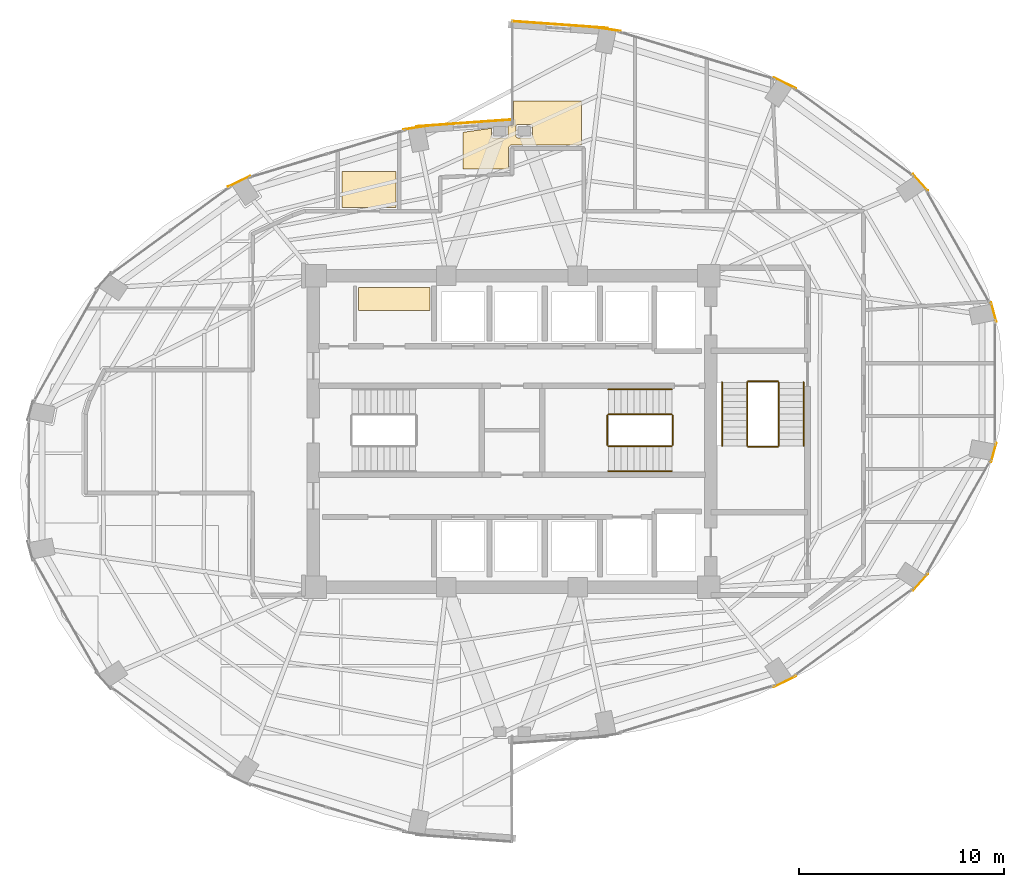
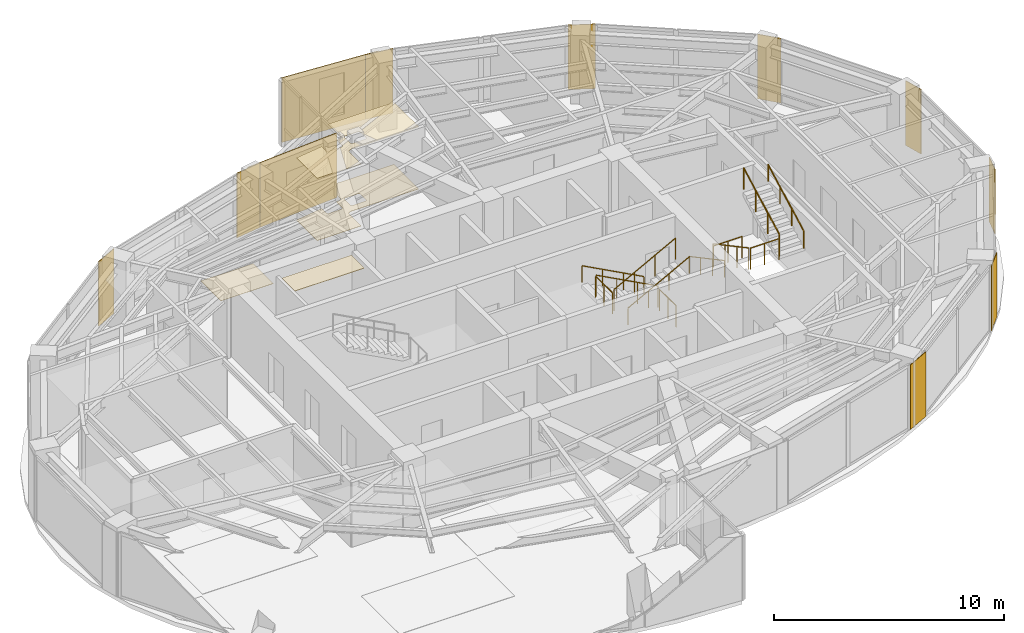
# One storey, part 20 of 20: 15 coverings, 12 railings.
"""IFC4 building model written with IfcOpenShell, lengths in metres."""

from ifc_helpers import new_model, si_unit, direction, frame, origin, origin_2d, place, context, subcontext, project, spatial, polyline, rectangle, circle, outline, extrude, material, layer, layer_set, type_object, element, save


model = new_model("IFC4")

# Units and contexts
model_context = context("Model", 3, precision=1e-05, world=origin(), true_north=direction((0.0, 1.0)))
body_context = subcontext(model_context, "Body", "Model", "MODEL_VIEW")
ifc_project = project(units=[si_unit("LENGTHUNIT", "METRE"), si_unit("AREAUNIT", "SQUARE_METRE"), si_unit("VOLUMEUNIT", "CUBIC_METRE"), si_unit("PLANEANGLEUNIT", "RADIAN"), si_unit("MASSUNIT", "GRAM", prefix="KILO")], contexts=[model_context])

# Site, building, storey
site_placement = place(None, origin())
site = spatial("IfcSite", under=ifc_project, at=site_placement, CompositionType="ELEMENT")
building_placement = place(site_placement, origin())
building = spatial("IfcBuilding", under=site, at=building_placement, Name="Lazwardi Medical Tower", CompositionType="ELEMENT")
storey_placement = place(building_placement, frame((0.0, 0.0, 156.528076171875)))
storey = spatial("IfcBuildingStorey", under=building, at=storey_placement, Name="L40", CompositionType="ELEMENT", Elevation=156.528076171875)

# Coverings
ifc_material_1 = material(Name="Anodised bronze aluminium cassette cladding", Category="aluminium")
ifc_layer_1 = layer(ifc_material_1, 0.030029296875)
ifc_layer_set_1 = layer_set([ifc_layer_1], Name="Anodised bronze aluminium cassette cladding")
covering_type_1 = type_object("IfcCoveringType", Name="COV-CLD-BRZ", PredefinedType="CLADDING", material=ifc_layer_set_1)
covering_1_placement = place(storey_placement, frame((49.31103515625, 15.798095703125, 0.0), z_axis=(0.0, 0.0, 1.0), x_axis=(0.898079014814, 0.439834154144, 0.0)))
element("IfcCovering", 1, at=covering_1_placement, inside=storey, type_object=covering_type_1, Name="L40 Mega-column bronze cassette cover M02", PredefinedType="CLADDING", context=body_context, shape_type="SweptSolid", body=[
    extrude(rectangle(XDim=1.200439453125, YDim=0.030029296875, at=origin_2d()), origin(), (0.0, 0.0, 1.0), 3.427978515625),
])
covering_2_placement = place(storey_placement, frame((55.92138671875, 20.643310546875, 0.0), z_axis=(0.0, 0.0, 1.0), x_axis=(0.673714459537, 0.738991763832, 0.0)))
element("IfcCovering", 2, at=covering_2_placement, inside=storey, type_object=covering_type_1, Name="L40 Mega-column bronze cassette cover M03", PredefinedType="CLADDING", context=body_context, shape_type="SweptSolid", body=[
    extrude(rectangle(XDim=1.0693359375, YDim=0.030029296875, at=origin_2d()), origin(), (0.0, 0.0, 1.0), 3.427978515625),
])
for number, where, z_axis, x_axis, name in (
    (3, (59.498779296875, 26.973876953125, 0.0), (0.0, 0.0, 1.0), (0.261828726257, 0.965114354938, 0.0), "L40 Mega-column bronze cassette cover M04"),
    (4, (59.498779296875, 33.826171875, 0.0), (0.0, 0.0, 1.0), (-0.261828726257, 0.965114354938, 0.0), "L40 Mega-column bronze cassette cover M05"),
):
    element("IfcCovering", number, at=place(storey_placement, frame(where, z_axis=z_axis, x_axis=x_axis)), inside=storey, type_object=covering_type_1, Name=name, PredefinedType="CLADDING", context=body_context, shape_type="SweptSolid", body=[
        extrude(rectangle(XDim=0.9658203125, YDim=0.030029296875, at=origin_2d()), origin(), (0.0, 0.0, 1.0), 3.427978515625),
    ])
covering_3_placement = place(storey_placement, frame((55.92138671875, 40.15673828125, 0.0), z_axis=(0.0, 0.0, 1.0), x_axis=(-0.673714459537, 0.738991763832, 0.0)))
element("IfcCovering", 5, at=covering_3_placement, inside=storey, type_object=covering_type_1, Name="L40 Mega-column bronze cassette cover M06", PredefinedType="CLADDING", context=body_context, shape_type="SweptSolid", body=[
    extrude(rectangle(XDim=1.0693359375, YDim=0.030029296875, at=origin_2d()), origin(), (0.0, 0.0, 1.0), 3.427978515625),
])
covering_4_placement = place(storey_placement, frame((49.31103515625, 45.001953125, 0.0), z_axis=(0.0, 0.0, 1.0), x_axis=(-0.898079014814, 0.439834154144, 0.0)))
element("IfcCovering", 6, at=covering_4_placement, inside=storey, type_object=covering_type_1, Name="L40 Mega-column bronze cassette cover M07", PredefinedType="CLADDING", context=body_context, shape_type="SweptSolid", body=[
    extrude(rectangle(XDim=1.200439453125, YDim=0.030029296875, at=origin_2d()), origin(), (0.0, 0.0, 1.0), 3.427978515625),
])
for number, where, z_axis, x_axis, name in (
    (7, (40.67431640625, 47.6240234375, 0.0), (0.0, 0.0, 1.0), (-0.989539138138, 0.144264666823, 0.0), "L40 Mega-column bronze cassette cover M08"),
    (8, (31.32568359375, 42.82421875, 0.0), (0.0, 0.0, 1.0), (-0.989539138138, -0.144264666823, 0.0), "L40 Mega-column bronze cassette cover M09"),
):
    element("IfcCovering", number, at=place(storey_placement, frame(where, z_axis=z_axis, x_axis=x_axis)), inside=storey, type_object=covering_type_1, Name=name, PredefinedType="CLADDING", context=body_context, shape_type="SweptSolid", body=[
        extrude(rectangle(XDim=1.28515625, YDim=0.030029296875, at=origin_2d()), origin(), (0.0, 0.0, 1.0), 3.427978515625),
    ])
covering_5_placement = place(storey_placement, frame((22.68896484375, 40.201904296875, 0.0), z_axis=(0.0, 0.0, 1.0), x_axis=(-0.898079014814, -0.439834154144, 0.0)))
element("IfcCovering", 9, at=covering_5_placement, inside=storey, type_object=covering_type_1, Name="L40 Mega-column bronze cassette cover M10", PredefinedType="CLADDING", context=body_context, shape_type="SweptSolid", body=[
    extrude(rectangle(XDim=1.200439453125, YDim=0.030029296875, at=origin_2d()), origin(), (0.0, 0.0, 1.0), 3.427978515625),
])
ifc_material_2 = material(Name="Turquoise glazed ceramic tilework cladding", Category="masonry")
ifc_layer_2 = layer(ifc_material_2, 0.034912109375)
ifc_layer_set_2 = layer_set([ifc_layer_2], Name="Turquoise glazed ceramic tilework cladding")
covering_type_2 = type_object("IfcCoveringType", Name="COV-CLD-TRQ", PredefinedType="CLADDING", material=ifc_layer_set_2)
covering_6_placement = place(storey_placement, frame((38.338134765625, 47.847412109375, 0.0), z_axis=(0.0, 0.0, 1.0), x_axis=(-0.997414510753, 0.071863020663, 0.0)))
element("IfcCovering", 10, at=covering_6_placement, inside=storey, type_object=covering_type_2, Name="L40 Turquoise glazed ceramic tilework cladding", PredefinedType="CLADDING", context=body_context, shape_type="SweptSolid", body=[
    extrude(rectangle(XDim=4.6630859375, YDim=0.034912109375, at=origin_2d()), origin(), (0.0, 0.0, 1.0), 3.427978515625),
])
covering_7_placement = place(storey_placement, frame((33.66162109375, 43.047607421875, 0.0), z_axis=(0.0, 0.0, 1.0), x_axis=(-0.997414134466, -0.071868243112, 0.0)))
element("IfcCovering", 11, at=covering_7_placement, inside=storey, type_object=covering_type_2, Name="L40 Turquoise glazed ceramic tilework cladding", PredefinedType="CLADDING", context=body_context, shape_type="SweptSolid", body=[
    extrude(rectangle(XDim=4.66259765625, YDim=0.034912109375, at=origin_2d()), origin(), (0.0, 0.0, 1.0), 3.427978515625),
])
ifc_material_3 = material(Name="Acoustic mineral fibre tile")
ifc_layer_3 = layer(ifc_material_3, 0.02490234375)
ifc_layer_set_3 = layer_set([ifc_layer_3], Name="Acoustic mineral fibre tile")
covering_type_3 = type_object("IfcCoveringType", Name="COV-CLG-01", PredefinedType="CEILING", material=ifc_layer_set_3)
covering_8_placement = place(storey_placement, frame((0.0, 0.0, 3.282958984375)))
element("IfcCovering", 12, at=covering_8_placement, inside=storey, type_object=covering_type_3, Name="L40 Clinical Acoustic Ceiling 7", PredefinedType="CEILING", context=body_context, shape_type="SweptSolid", body=[
    extrude(outline(polyline([(31.989990234375, 33.892578125), (31.989990234375, 35.02001953125), (28.510009765625, 35.02001953125), (28.510009765625, 33.892578125), (31.989990234375, 33.892578125)])), origin(), (0.0, 0.0, 1.0), 0.02490234375),
])
covering_9_placement = place(storey_placement, frame((0.0, 0.0, 3.282958984375)))
element("IfcCovering", 13, at=covering_9_placement, inside=storey, type_object=covering_type_3, Name="L40 Clinical Acoustic Ceiling 9", PredefinedType="CEILING", context=body_context, shape_type="SweptSolid", body=[
    extrude(outline(polyline([(36.080078125, 44.12255859375), (36.080078125, 43.02001953125), (36.07958984375, 43.012451171875), (36.07861328125, 43.0048828125), (36.076904296875, 42.99755859375), (36.07421875, 42.990234375), (36.071044921875, 42.9833984375), (36.0673828125, 42.976806640625), (36.06298828125, 42.970703125), (36.057861328125, 42.96484375), (36.052490234375, 42.959716796875), (36.04638671875, 42.954833984375), (36.0400390625, 42.95068359375), (36.033203125, 42.947265625), (36.0263671875, 42.9443359375), (36.01904296875, 42.9423828125), (36.011474609375, 42.94091796875), (35.798583984375, 42.909912109375), (35.799560546875, 42.90283203125), (35.800048828125, 42.89501953125), (35.800048828125, 42.405029296875), (35.799560546875, 42.397216796875), (35.798583984375, 42.389404296875), (35.796630859375, 42.3818359375), (35.7939453125, 42.37451171875), (35.79052734375, 42.3671875), (35.78662109375, 42.360595703125), (35.78173828125, 42.354248046875), (35.776611328125, 42.348388671875), (35.770751953125, 42.34326171875), (35.764404296875, 42.33837890625), (35.7578125, 42.33447265625), (35.75048828125, 42.3310546875), (35.7431640625, 42.328369140625), (35.735595703125, 42.326416015625), (35.727783203125, 42.325439453125), (35.719970703125, 42.324951171875), (35.080078125, 42.324951171875), (35.072265625, 42.325439453125), (35.064453125, 42.326416015625), (35.056884765625, 42.328369140625), (35.04931640625, 42.3310546875), (35.042236328125, 42.33447265625), (35.03564453125, 42.33837890625), (35.029296875, 42.34326171875), (35.0234375, 42.348388671875), (35.018310546875, 42.354248046875), (35.013427734375, 42.360595703125), (35.009521484375, 42.3671875), (35.006103515625, 42.37451171875), (35.00341796875, 42.3818359375), (35.00146484375, 42.389404296875), (35.00048828125, 42.397216796875), (35.0, 42.405029296875), (35.0, 42.793701171875), (33.61279296875, 42.591796875), (33.61279296875, 40.79248046875), (35.824951171875, 40.79248046875), (35.824951171875, 41.800048828125), (35.8251953125, 41.80419921875), (35.82568359375, 41.813720703125), (35.826416015625, 41.820556640625), (35.82763671875, 41.82958984375), (35.8291015625, 41.838134765625), (35.83154296875, 41.84716796875), (35.83349609375, 41.854248046875), (35.836669921875, 41.863037109375), (35.840087890625, 41.870849609375), (35.843994140625, 41.879150390625), (35.84765625, 41.885986328125), (35.852294921875, 41.89404296875), (35.85693359375, 41.900634765625), (35.862548828125, 41.908203125), (35.8671875, 41.913818359375), (35.873291015625, 41.920654296875), (35.87939453125, 41.9267578125), (35.88623046875, 41.932861328125), (35.891845703125, 41.9375), (35.8994140625, 41.943115234375), (35.906005859375, 41.947509765625), (35.9140625, 41.952392578125), (35.9208984375, 41.9560546875), (35.92919921875, 41.9599609375), (35.93701171875, 41.96337890625), (35.94580078125, 41.96630859375), (35.952880859375, 41.968505859375), (35.9619140625, 41.970703125), (35.97021484375, 41.972412109375), (35.9794921875, 41.9736328125), (35.986328125, 41.974365234375), (35.99560546875, 41.974853515625), (36.0, 41.97509765625), (39.392822265625, 41.97509765625), (39.392822265625, 44.12255859375), (36.080078125, 44.12255859375)]), holes=[polyline([(36.943115234375, 42.328369140625), (36.935546875, 42.326416015625), (36.927734375, 42.325439453125), (36.919921875, 42.324951171875), (36.280029296875, 42.324951171875), (36.272216796875, 42.325439453125), (36.264404296875, 42.326416015625), (36.2568359375, 42.328369140625), (36.24951171875, 42.3310546875), (36.2421875, 42.33447265625), (36.235595703125, 42.33837890625), (36.229248046875, 42.34326171875), (36.223388671875, 42.348388671875), (36.21826171875, 42.354248046875), (36.21337890625, 42.360595703125), (36.20947265625, 42.3671875), (36.2060546875, 42.37451171875), (36.203369140625, 42.3818359375), (36.201416015625, 42.389404296875), (36.200439453125, 42.397216796875), (36.199951171875, 42.405029296875), (36.199951171875, 42.89501953125), (36.200439453125, 42.90283203125), (36.201416015625, 42.91064453125), (36.203369140625, 42.918212890625), (36.2060546875, 42.925537109375), (36.20947265625, 42.9326171875), (36.21337890625, 42.939453125), (36.21826171875, 42.94580078125), (36.223388671875, 42.95166015625), (36.229248046875, 42.956787109375), (36.235595703125, 42.96142578125), (36.2421875, 42.965576171875), (36.24951171875, 42.968994140625), (36.2568359375, 42.9716796875), (36.264404296875, 42.973388671875), (36.272216796875, 42.974609375), (36.280029296875, 42.97509765625), (36.919921875, 42.97509765625), (36.927734375, 42.974609375), (36.935546875, 42.973388671875), (36.943115234375, 42.9716796875), (36.95068359375, 42.968994140625), (36.957763671875, 42.965576171875), (36.96435546875, 42.96142578125), (36.970703125, 42.956787109375), (36.9765625, 42.95166015625), (36.981689453125, 42.94580078125), (36.986572265625, 42.939453125), (36.990478515625, 42.9326171875), (36.993896484375, 42.925537109375), (36.99658203125, 42.918212890625), (36.99853515625, 42.91064453125), (36.99951171875, 42.90283203125), (37.0, 42.89501953125), (37.0, 42.405029296875), (36.99951171875, 42.397216796875), (36.99853515625, 42.389404296875), (36.99658203125, 42.3818359375), (36.993896484375, 42.37451171875), (36.990478515625, 42.3671875), (36.986572265625, 42.360595703125), (36.981689453125, 42.354248046875), (36.9765625, 42.348388671875), (36.970703125, 42.34326171875), (36.96435546875, 42.33837890625), (36.957763671875, 42.33447265625), (36.95068359375, 42.3310546875), (36.943115234375, 42.328369140625)])]), origin(), (0.0, 0.0, 1.0), 0.02490234375),
])
ifc_material_4 = material(Name="Anti-static hospital vinyl sheet flooring")
ifc_layer_4 = layer(ifc_material_4, 0.014892578125)
ifc_layer_set_4 = layer_set([ifc_layer_4], Name="Anti-static hospital vinyl sheet flooring")
covering_type_4 = type_object("IfcCoveringType", Name="COV-FLR-01", PredefinedType="FLOORING", material=ifc_layer_set_4)
covering_10_placement = place(storey_placement, origin())
element("IfcCovering", 14, at=covering_10_placement, inside=storey, type_object=covering_type_4, Name="L40 Clinical Vinyl Flooring 8", PredefinedType="FLOORING", context=body_context, shape_type="SweptSolid", body=[
    extrude(outline(polyline([(27.712890625, 38.925048828125), (30.3349609375, 38.925048828125), (30.3349609375, 40.672607421875), (27.712890625, 40.672607421875), (27.712890625, 38.925048828125)])), origin(), (0.0, 0.0, 1.0), 0.014892578125),
])
covering_11_placement = place(storey_placement, origin())
element("IfcCovering", 15, at=covering_11_placement, inside=storey, type_object=covering_type_4, Name="L40 Clinical Vinyl Flooring 10", PredefinedType="FLOORING", context=body_context, shape_type="SweptSolid", body=[
    extrude(outline(polyline([(36.080078125, 44.12255859375), (36.080078125, 43.02001953125), (36.07958984375, 43.012451171875), (36.07861328125, 43.0048828125), (36.076904296875, 42.99755859375), (36.07421875, 42.990234375), (36.071044921875, 42.9833984375), (36.0673828125, 42.976806640625), (36.06298828125, 42.970703125), (36.057861328125, 42.96484375), (36.052490234375, 42.959716796875), (36.04638671875, 42.954833984375), (36.0400390625, 42.95068359375), (36.033203125, 42.947265625), (36.0263671875, 42.9443359375), (36.01904296875, 42.9423828125), (36.011474609375, 42.94091796875), (35.798583984375, 42.909912109375), (35.799560546875, 42.90283203125), (35.800048828125, 42.89501953125), (35.800048828125, 42.405029296875), (35.799560546875, 42.397216796875), (35.798583984375, 42.389404296875), (35.796630859375, 42.3818359375), (35.7939453125, 42.37451171875), (35.79052734375, 42.3671875), (35.78662109375, 42.360595703125), (35.78173828125, 42.354248046875), (35.776611328125, 42.348388671875), (35.770751953125, 42.34326171875), (35.764404296875, 42.33837890625), (35.7578125, 42.33447265625), (35.75048828125, 42.3310546875), (35.7431640625, 42.328369140625), (35.735595703125, 42.326416015625), (35.727783203125, 42.325439453125), (35.719970703125, 42.324951171875), (35.080078125, 42.324951171875), (35.072265625, 42.325439453125), (35.064453125, 42.326416015625), (35.056884765625, 42.328369140625), (35.04931640625, 42.3310546875), (35.042236328125, 42.33447265625), (35.03564453125, 42.33837890625), (35.029296875, 42.34326171875), (35.0234375, 42.348388671875), (35.018310546875, 42.354248046875), (35.013427734375, 42.360595703125), (35.009521484375, 42.3671875), (35.006103515625, 42.37451171875), (35.00341796875, 42.3818359375), (35.00146484375, 42.389404296875), (35.00048828125, 42.397216796875), (35.0, 42.405029296875), (35.0, 42.793701171875), (33.61279296875, 42.591796875), (33.61279296875, 40.79248046875), (35.824951171875, 40.79248046875), (35.824951171875, 41.800048828125), (35.8251953125, 41.80419921875), (35.82568359375, 41.813720703125), (35.826416015625, 41.820556640625), (35.82763671875, 41.82958984375), (35.8291015625, 41.838134765625), (35.83154296875, 41.84716796875), (35.83349609375, 41.854248046875), (35.836669921875, 41.863037109375), (35.840087890625, 41.870849609375), (35.843994140625, 41.879150390625), (35.84765625, 41.885986328125), (35.852294921875, 41.89404296875), (35.85693359375, 41.900634765625), (35.862548828125, 41.908203125), (35.8671875, 41.913818359375), (35.873291015625, 41.920654296875), (35.87939453125, 41.9267578125), (35.88623046875, 41.932861328125), (35.891845703125, 41.9375), (35.8994140625, 41.943115234375), (35.906005859375, 41.947509765625), (35.9140625, 41.952392578125), (35.9208984375, 41.9560546875), (35.92919921875, 41.9599609375), (35.93701171875, 41.96337890625), (35.94580078125, 41.96630859375), (35.952880859375, 41.968505859375), (35.9619140625, 41.970703125), (35.97021484375, 41.972412109375), (35.9794921875, 41.9736328125), (35.986328125, 41.974365234375), (35.99560546875, 41.974853515625), (36.0, 41.97509765625), (39.392822265625, 41.97509765625), (39.392822265625, 44.12255859375), (36.080078125, 44.12255859375)]), holes=[polyline([(36.943115234375, 42.328369140625), (36.935546875, 42.326416015625), (36.927734375, 42.325439453125), (36.919921875, 42.324951171875), (36.280029296875, 42.324951171875), (36.272216796875, 42.325439453125), (36.264404296875, 42.326416015625), (36.2568359375, 42.328369140625), (36.24951171875, 42.3310546875), (36.2421875, 42.33447265625), (36.235595703125, 42.33837890625), (36.229248046875, 42.34326171875), (36.223388671875, 42.348388671875), (36.21826171875, 42.354248046875), (36.21337890625, 42.360595703125), (36.20947265625, 42.3671875), (36.2060546875, 42.37451171875), (36.203369140625, 42.3818359375), (36.201416015625, 42.389404296875), (36.200439453125, 42.397216796875), (36.199951171875, 42.405029296875), (36.199951171875, 42.89501953125), (36.200439453125, 42.90283203125), (36.201416015625, 42.91064453125), (36.203369140625, 42.918212890625), (36.2060546875, 42.925537109375), (36.20947265625, 42.9326171875), (36.21337890625, 42.939453125), (36.21826171875, 42.94580078125), (36.223388671875, 42.95166015625), (36.229248046875, 42.956787109375), (36.235595703125, 42.96142578125), (36.2421875, 42.965576171875), (36.24951171875, 42.968994140625), (36.2568359375, 42.9716796875), (36.264404296875, 42.973388671875), (36.272216796875, 42.974609375), (36.280029296875, 42.97509765625), (36.919921875, 42.97509765625), (36.927734375, 42.974609375), (36.935546875, 42.973388671875), (36.943115234375, 42.9716796875), (36.95068359375, 42.968994140625), (36.957763671875, 42.965576171875), (36.96435546875, 42.96142578125), (36.970703125, 42.956787109375), (36.9765625, 42.95166015625), (36.981689453125, 42.94580078125), (36.986572265625, 42.939453125), (36.990478515625, 42.9326171875), (36.993896484375, 42.925537109375), (36.99658203125, 42.918212890625), (36.99853515625, 42.91064453125), (36.99951171875, 42.90283203125), (37.0, 42.89501953125), (37.0, 42.405029296875), (36.99951171875, 42.397216796875), (36.99853515625, 42.389404296875), (36.99658203125, 42.3818359375), (36.993896484375, 42.37451171875), (36.990478515625, 42.3671875), (36.986572265625, 42.360595703125), (36.981689453125, 42.354248046875), (36.9765625, 42.348388671875), (36.970703125, 42.34326171875), (36.96435546875, 42.33837890625), (36.957763671875, 42.33447265625), (36.95068359375, 42.3310546875), (36.943115234375, 42.328369140625)])]), origin(), (0.0, 0.0, 1.0), 0.014892578125),
])

# Railings
ifc_material_5 = material(Name="Stainless steel Grade 316", Category="steel")
railing_type_1 = type_object("IfcRailingType", Name="RLG-GRD-1150", PredefinedType="GUARDRAIL", material=ifc_material_5)
railing_1_placement = place(storey_placement, frame((43.800048828125, 28.830078125, 0.165771484375)))
element("IfcRailing", 16, at=railing_1_placement, inside=storey, type_object=railing_type_1, Name="L40 ST2 stair guard 1", PredefinedType="GUARDRAIL", context=body_context, shape_type="SweptSolid", body=[
    extrude(circle(Radius=0.02392578125, at=origin_2d()), frame((0.0, 0.0, 1.1259765625), z_axis=(-0.881783298633, 0.0, 0.471654761719), x_axis=(0.0, -1.0, 0.0)), (0.0, 0.0, 1.0), 3.515625),
    extrude(circle(Radius=0.02099609375, at=origin_2d()), origin(), (0.0, 0.0, 1.0), 1.099853515625),
    extrude(circle(Radius=0.02099609375, at=origin_2d()), frame((-1.033447265625, 0.0, 0.552734375)), (0.0, 0.0, 1.0), 1.099853515625),
    extrude(circle(Radius=0.02099609375, at=origin_2d()), frame((-2.066650390625, 0.0, 1.10546875)), (0.0, 0.0, 1.0), 1.099853515625),
    extrude(circle(Radius=0.02099609375, at=origin_2d()), frame((-3.10009765625, 0.0, 1.658203125)), (0.0, 0.0, 1.0), 1.099853515625),
])
railing_2_placement = place(storey_placement, frame((40.64990234375, 28.780029296875, 1.823974609375)))
element("IfcRailing", 17, at=railing_2_placement, inside=storey, type_object=railing_type_1, Name="L40 ST2 stair guard 2", PredefinedType="GUARDRAIL", context=body_context, shape_type="SweptSolid", body=[
    extrude(circle(Radius=0.02392578125, at=origin_2d()), frame((0.0, 0.0, 1.1259765625), z_axis=(0.0, -1.0, 0.0), x_axis=(1.0, 0.0, 0.0)), (0.0, 0.0, 1.0), 1.43994140625),
    extrude(circle(Radius=0.02099609375, at=origin_2d()), origin(), (0.0, 0.0, 1.0), 1.099853515625),
    extrude(circle(Radius=0.02099609375, at=origin_2d()), frame((0.0, -0.719970703125, 0.0)), (0.0, 0.0, 1.0), 1.099853515625),
    extrude(circle(Radius=0.02099609375, at=origin_2d()), frame((0.0, -1.43994140625, 0.0)), (0.0, 0.0, 1.0), 1.099853515625),
])
railing_3_placement = place(storey_placement, frame((40.699951171875, 27.2900390625, 1.98974609375)))
element("IfcRailing", 18, at=railing_3_placement, inside=storey, type_object=railing_type_1, Name="L40 ST2 stair guard 3", PredefinedType="GUARDRAIL", context=body_context, shape_type="SweptSolid", body=[
    extrude(circle(Radius=0.02392578125, at=origin_2d()), frame((0.0, 0.0, 1.1259765625), z_axis=(0.881783298633, 0.0, 0.471654761719), x_axis=(0.0, 1.0, 0.0)), (0.0, 0.0, 1.0), 3.515625),
    extrude(circle(Radius=0.02099609375, at=origin_2d()), origin(), (0.0, 0.0, 1.0), 1.099853515625),
    extrude(circle(Radius=0.02099609375, at=origin_2d()), frame((1.033447265625, 0.0, 0.552734375)), (0.0, 0.0, 1.0), 1.099853515625),
    extrude(circle(Radius=0.02099609375, at=origin_2d()), frame((2.066650390625, 0.0, 1.10546875)), (0.0, 0.0, 1.0), 1.099853515625),
    extrude(circle(Radius=0.02099609375, at=origin_2d()), frame((3.10009765625, 0.0, 1.658203125)), (0.0, 0.0, 1.0), 1.099853515625),
])
railing_4_placement = place(storey_placement, frame((43.85009765625, 28.780029296875, 0.0)))
element("IfcRailing", 19, at=railing_4_placement, inside=storey, type_object=railing_type_1, Name="L40 ST2 stair guard 4", PredefinedType="GUARDRAIL", context=body_context, shape_type="SweptSolid", body=[
    extrude(circle(Radius=0.02392578125, at=origin_2d()), frame((0.0, 0.0, 1.1259765625), z_axis=(0.0, -1.0, 0.0), x_axis=(1.0, 0.0, 0.0)), (0.0, 0.0, 1.0), 1.43994140625),
    extrude(circle(Radius=0.02099609375, at=origin_2d()), origin(), (0.0, 0.0, 1.0), 1.099853515625),
    extrude(circle(Radius=0.02099609375, at=origin_2d()), frame((0.0, -0.719970703125, 0.0)), (0.0, 0.0, 1.0), 1.099853515625),
    extrude(circle(Radius=0.02099609375, at=origin_2d()), frame((0.0, -1.43994140625, 0.0)), (0.0, 0.0, 1.0), 1.099853515625),
])
railing_5_placement = place(storey_placement, frame((47.469970703125, 30.39990234375, 0.165771484375)))
element("IfcRailing", 20, at=railing_5_placement, inside=storey, type_object=railing_type_1, Name="L40 ST3 stair guard 1", PredefinedType="GUARDRAIL", context=body_context, shape_type="SweptSolid", body=[
    extrude(circle(Radius=0.02392578125, at=origin_2d()), frame((0.0, 0.0, 1.1259765625), z_axis=(0.0, -0.881767849116, 0.471683644262), x_axis=(1.0, 0.0, 0.0)), (0.0, 0.0, 1.0), 3.515380859375),
    extrude(circle(Radius=0.02099609375, at=origin_2d()), origin(), (0.0, 0.0, 1.0), 1.099853515625),
    extrude(circle(Radius=0.02099609375, at=origin_2d()), frame((0.0, -1.033203125, 0.552734375)), (0.0, 0.0, 1.0), 1.099853515625),
    extrude(circle(Radius=0.02099609375, at=origin_2d()), frame((0.0, -2.066650390625, 1.10546875)), (0.0, 0.0, 1.0), 1.099853515625),
    extrude(circle(Radius=0.02099609375, at=origin_2d()), frame((0.0, -3.099853515625, 1.658203125)), (0.0, 0.0, 1.0), 1.099853515625),
])
railing_6_placement = place(storey_placement, frame((47.52001953125, 27.25, 1.823974609375)))
element("IfcRailing", 21, at=railing_6_placement, inside=storey, type_object=railing_type_1, Name="L40 ST3 stair guard 2", PredefinedType="GUARDRAIL", context=body_context, shape_type="SweptSolid", body=[
    extrude(circle(Radius=0.02392578125, at=origin_2d()), frame((0.0, 0.0, 1.1259765625), z_axis=(1.0, 0.0, 0.0), x_axis=(0.0, 1.0, 0.0)), (0.0, 0.0, 1.0), 1.43994140625),
    extrude(circle(Radius=0.02099609375, at=origin_2d()), origin(), (0.0, 0.0, 1.0), 1.099853515625),
    extrude(circle(Radius=0.02099609375, at=origin_2d()), frame((0.719970703125, 0.0, 0.0)), (0.0, 0.0, 1.0), 1.099853515625),
    extrude(circle(Radius=0.02099609375, at=origin_2d()), frame((1.43994140625, 0.0, 0.0)), (0.0, 0.0, 1.0), 1.099853515625),
])
railing_7_placement = place(storey_placement, frame((49.010009765625, 27.300048828125, 1.98974609375)))
element("IfcRailing", 22, at=railing_7_placement, inside=storey, type_object=railing_type_1, Name="L40 ST3 stair guard 3", PredefinedType="GUARDRAIL", context=body_context, shape_type="SweptSolid", body=[
    extrude(circle(Radius=0.02392578125, at=origin_2d()), frame((0.0, 0.0, 1.1259765625), z_axis=(0.0, 0.881767849116, 0.471683644262), x_axis=(-1.0, 0.0, 0.0)), (0.0, 0.0, 1.0), 3.515380859375),
    extrude(circle(Radius=0.02099609375, at=origin_2d()), origin(), (0.0, 0.0, 1.0), 1.099853515625),
    extrude(circle(Radius=0.02099609375, at=origin_2d()), frame((0.0, 1.033203125, 0.552734375)), (0.0, 0.0, 1.0), 1.099853515625),
    extrude(circle(Radius=0.02099609375, at=origin_2d()), frame((0.0, 2.066650390625, 1.10546875)), (0.0, 0.0, 1.0), 1.099853515625),
    extrude(circle(Radius=0.02099609375, at=origin_2d()), frame((0.0, 3.099853515625, 1.658203125)), (0.0, 0.0, 1.0), 1.099853515625),
])
railing_8_placement = place(storey_placement, frame((47.52001953125, 30.449951171875, 0.0)))
element("IfcRailing", 23, at=railing_8_placement, inside=storey, type_object=railing_type_1, Name="L40 ST3 stair guard 4", PredefinedType="GUARDRAIL", context=body_context, shape_type="SweptSolid", body=[
    extrude(circle(Radius=0.02392578125, at=origin_2d()), frame((0.0, 0.0, 1.1259765625), z_axis=(1.0, 0.0, 0.0), x_axis=(0.0, 1.0, 0.0)), (0.0, 0.0, 1.0), 1.43994140625),
    extrude(circle(Radius=0.02099609375, at=origin_2d()), origin(), (0.0, 0.0, 1.0), 1.099853515625),
    extrude(circle(Radius=0.02099609375, at=origin_2d()), frame((0.719970703125, 0.0, 0.0)), (0.0, 0.0, 1.0), 1.099853515625),
    extrude(circle(Radius=0.02099609375, at=origin_2d()), frame((1.43994140625, 0.0, 0.0)), (0.0, 0.0, 1.0), 1.099853515625),
])
railing_type_2 = type_object("IfcRailingType", Name="RLG-HND-920", PredefinedType="HANDRAIL", material=ifc_material_5)
railing_9_placement = place(storey_placement, frame((43.800048828125, 30.050048828125, 0.165771484375)))
element("IfcRailing", 24, at=railing_9_placement, inside=storey, type_object=railing_type_2, Name="L40 ST2 stair handrail 1", PredefinedType="HANDRAIL", context=body_context, shape_type="SweptSolid", body=[
    extrude(circle(Radius=0.02392578125, at=origin_2d()), frame((0.0, 0.0, 0.8857421875), z_axis=(-0.881783298633, 0.0, 0.471654761719), x_axis=(0.0, -1.0, 0.0)), (0.0, 0.0, 1.0), 3.515625),
    extrude(circle(Radius=0.02099609375, at=origin_2d()), origin(), (0.0, 0.0, 1.0), 0.85986328125),
    extrude(circle(Radius=0.02099609375, at=origin_2d()), frame((-1.033447265625, 0.0, 0.552734375)), (0.0, 0.0, 1.0), 0.85986328125),
    extrude(circle(Radius=0.02099609375, at=origin_2d()), frame((-2.066650390625, 0.0, 1.10546875)), (0.0, 0.0, 1.0), 0.85986328125),
    extrude(circle(Radius=0.02099609375, at=origin_2d()), frame((-3.10009765625, 0.0, 1.658203125)), (0.0, 0.0, 1.0), 0.85986328125),
])
railing_10_placement = place(storey_placement, frame((40.699951171875, 26.070068359375, 1.98974609375)))
element("IfcRailing", 25, at=railing_10_placement, inside=storey, type_object=railing_type_2, Name="L40 ST2 stair handrail 2", PredefinedType="HANDRAIL", context=body_context, shape_type="SweptSolid", body=[
    extrude(circle(Radius=0.02392578125, at=origin_2d()), frame((0.0, 0.0, 0.8857421875), z_axis=(0.881783298633, 0.0, 0.471654761719), x_axis=(0.0, 1.0, 0.0)), (0.0, 0.0, 1.0), 3.515625),
    extrude(circle(Radius=0.02099609375, at=origin_2d()), origin(), (0.0, 0.0, 1.0), 0.85986328125),
    extrude(circle(Radius=0.02099609375, at=origin_2d()), frame((1.033447265625, 0.0, 0.552734375)), (0.0, 0.0, 1.0), 0.85986328125),
    extrude(circle(Radius=0.02099609375, at=origin_2d()), frame((2.066650390625, 0.0, 1.10546875)), (0.0, 0.0, 1.0), 0.85986328125),
    extrude(circle(Radius=0.02099609375, at=origin_2d()), frame((3.10009765625, 0.0, 1.658203125)), (0.0, 0.0, 1.0), 0.85986328125),
])
railing_11_placement = place(storey_placement, frame((46.25, 30.39990234375, 0.165771484375)))
element("IfcRailing", 26, at=railing_11_placement, inside=storey, type_object=railing_type_2, Name="L40 ST3 stair handrail 1", PredefinedType="HANDRAIL", context=body_context, shape_type="SweptSolid", body=[
    extrude(circle(Radius=0.02392578125, at=origin_2d()), frame((0.0, 0.0, 0.8857421875), z_axis=(0.0, -0.881767849116, 0.471683644262), x_axis=(1.0, 0.0, 0.0)), (0.0, 0.0, 1.0), 3.515380859375),
    extrude(circle(Radius=0.02099609375, at=origin_2d()), origin(), (0.0, 0.0, 1.0), 0.85986328125),
    extrude(circle(Radius=0.02099609375, at=origin_2d()), frame((0.0, -1.033203125, 0.552734375)), (0.0, 0.0, 1.0), 0.85986328125),
    extrude(circle(Radius=0.02099609375, at=origin_2d()), frame((0.0, -2.066650390625, 1.10546875)), (0.0, 0.0, 1.0), 0.85986328125),
    extrude(circle(Radius=0.02099609375, at=origin_2d()), frame((0.0, -3.099853515625, 1.658203125)), (0.0, 0.0, 1.0), 0.85986328125),
])
railing_12_placement = place(storey_placement, frame((50.22998046875, 27.300048828125, 1.98974609375)))
element("IfcRailing", 27, at=railing_12_placement, inside=storey, type_object=railing_type_2, Name="L40 ST3 stair handrail 2", PredefinedType="HANDRAIL", context=body_context, shape_type="SweptSolid", body=[
    extrude(circle(Radius=0.02392578125, at=origin_2d()), frame((0.0, 0.0, 0.8857421875), z_axis=(0.0, 0.881767849116, 0.471683644262), x_axis=(-1.0, 0.0, 0.0)), (0.0, 0.0, 1.0), 3.515380859375),
    extrude(circle(Radius=0.02099609375, at=origin_2d()), origin(), (0.0, 0.0, 1.0), 0.85986328125),
    extrude(circle(Radius=0.02099609375, at=origin_2d()), frame((0.0, 1.033203125, 0.552734375)), (0.0, 0.0, 1.0), 0.85986328125),
    extrude(circle(Radius=0.02099609375, at=origin_2d()), frame((0.0, 2.066650390625, 1.10546875)), (0.0, 0.0, 1.0), 0.85986328125),
    extrude(circle(Radius=0.02099609375, at=origin_2d()), frame((0.0, 3.099853515625, 1.658203125)), (0.0, 0.0, 1.0), 0.85986328125),
])

save(model, "model.ifc")
